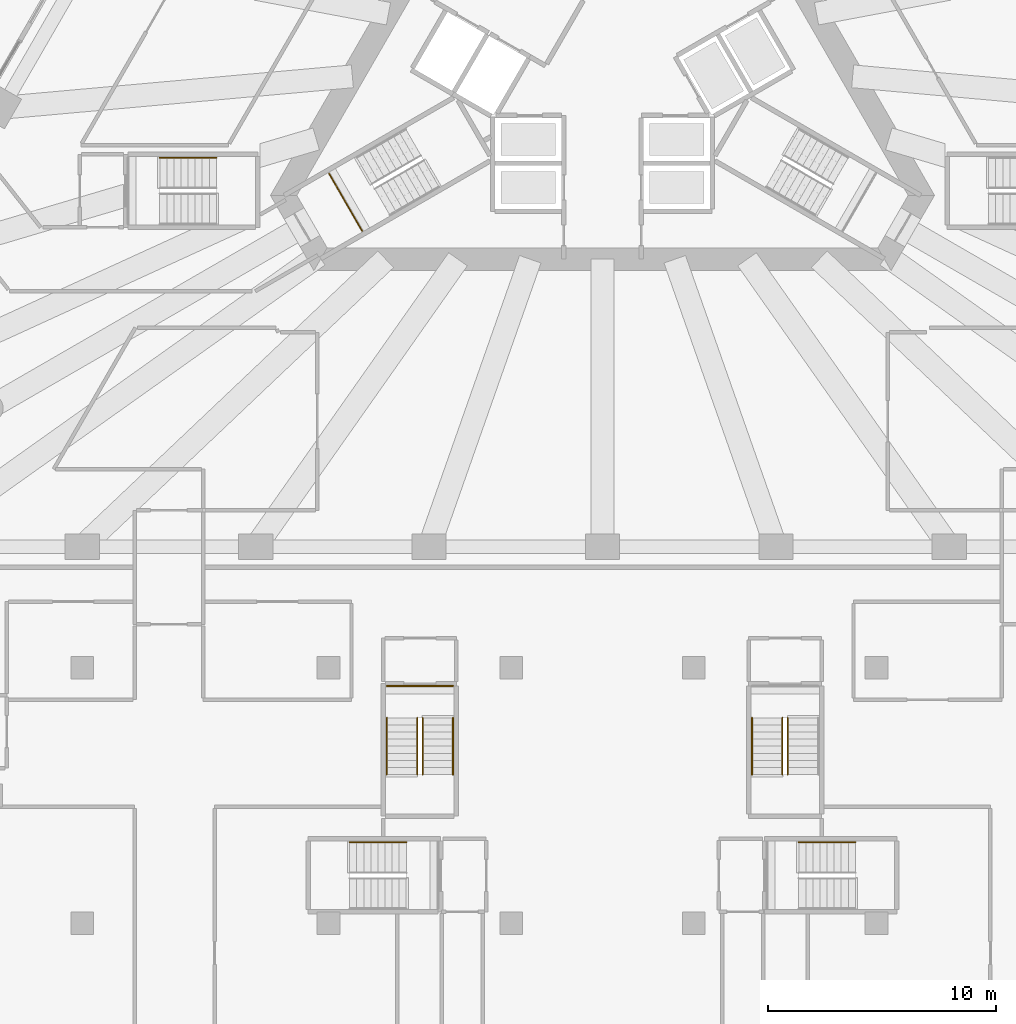
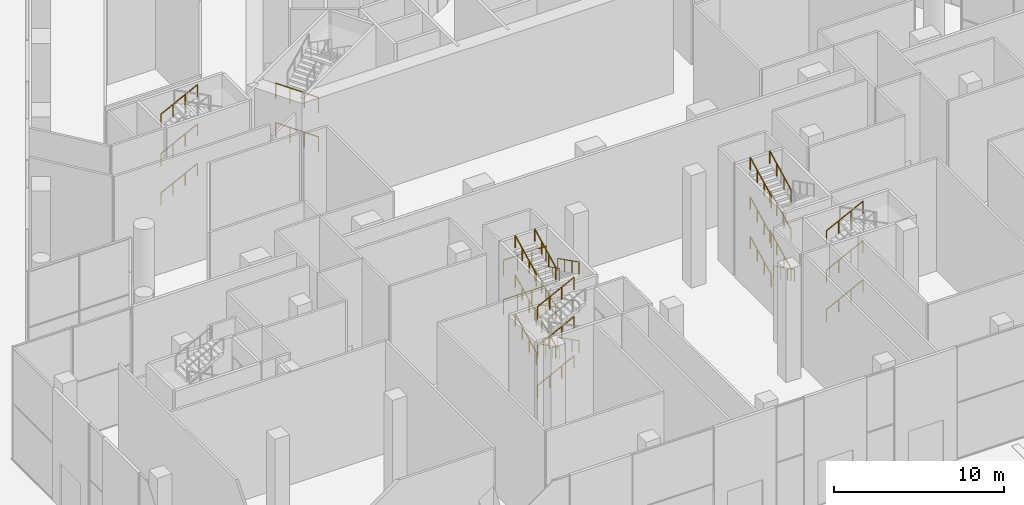
# One storey, part 37 of 41: 32 railings, 6 elements without a shape of their own.
"""IFC4 building model written with IfcOpenShell, lengths in metres."""

from ifc_helpers import new_model, si_unit, direction, frame, origin, origin_2d, place, context, subcontext, project, spatial, circle, extrude, material, type_object, element, aggregate, save


model = new_model("IFC4")

# Units and contexts
model_context = context("Model", 3, precision=1e-05, world=origin(), true_north=direction((0.0, 1.0)))
body_context = subcontext(model_context, "Body", "Model", "MODEL_VIEW")
ifc_project = project(units=[si_unit("LENGTHUNIT", "METRE"), si_unit("AREAUNIT", "SQUARE_METRE"), si_unit("VOLUMEUNIT", "CUBIC_METRE"), si_unit("PLANEANGLEUNIT", "RADIAN"), si_unit("MASSUNIT", "GRAM", prefix="KILO")], contexts=[model_context])

# Site, building, storey
site_placement = place(None, origin())
site = spatial("IfcSite", under=ifc_project, at=site_placement, CompositionType="ELEMENT")
building_placement = place(site_placement, origin())
building = spatial("IfcBuilding", under=site, at=building_placement, Name="Triada Interchange Tower", CompositionType="ELEMENT")
storey_placement = place(building_placement, origin())
storey = spatial("IfcBuildingStorey", under=building, at=storey_placement, Name="L00", CompositionType="ELEMENT", Elevation=0.0)

# Stair, railings
ifc_material_1 = material(Name="Concrete C35/45", Category="concrete")
stair_type = type_object("IfcStairType", Name="HALF TURN STAIR 1400", PredefinedType="HALF_TURN_STAIR", material=ifc_material_1)
stair_1_placement = place(storey_placement, origin())
stair_1 = element("IfcStair", 1, at=stair_1_placement, inside=storey, type_object=stair_type, Name="Exit stair S00-2", PredefinedType="HALF_TURN_STAIR")
ifc_material_2 = material(Name="Stainless steel 1.4301", Category="steel")
railing_type_1 = type_object("IfcRailingType", Name="STAIR GUARD 1100", PredefinedType="GUARDRAIL", material=ifc_material_2)
railing_1_placement = place(storey_placement, frame((-11.98291015625, -5.243896484375, 2.83349609375)))
railing_1 = element("IfcRailing", 2, at=railing_1_placement, type_object=railing_type_1, Name="Guard S00-2 1", PredefinedType="GUARDRAIL", context=body_context, shape_type="SweptSolid", body=[
    extrude(circle(Radius=0.02392578125, at=origin_2d()), frame((0.0, 0.0, 1.076171875), z_axis=(0.499877891294, -0.866095891802, 0.0), x_axis=(0.866095891802, 0.499877891294, 0.0)), (0.0, 0.0, 1.0), 2.900634765625),
    extrude(circle(Radius=0.02099609375, at=origin_2d()), origin(), (0.0, 0.0, 1.0), 1.052001953125),
    extrude(circle(Radius=0.02099609375, at=origin_2d()), frame((0.4833984375, -0.83740234375, 0.0)), (0.0, 0.0, 1.0), 1.052001953125),
    extrude(circle(Radius=0.02099609375, at=origin_2d()), frame((0.966552734375, -1.6748046875, 0.0)), (0.0, 0.0, 1.0), 1.052001953125),
    extrude(circle(Radius=0.02099609375, at=origin_2d()), frame((1.449951171875, -2.51220703125, 0.0)), (0.0, 0.0, 1.0), 1.052001953125),
])
railing_2_placement = place(storey_placement, frame((-11.98291015625, -5.243896484375, 5.666748046875)))
railing_2 = element("IfcRailing", 3, at=railing_2_placement, type_object=railing_type_1, Name="Guard S00-2 2", PredefinedType="GUARDRAIL", context=body_context, shape_type="SweptSolid", body=[
    extrude(circle(Radius=0.02392578125, at=origin_2d()), frame((0.0, 0.0, 1.076171875), z_axis=(0.499877891294, -0.866095891802, 0.0), x_axis=(0.866095891802, 0.499877891294, 0.0)), (0.0, 0.0, 1.0), 2.900634765625),
    extrude(circle(Radius=0.02099609375, at=origin_2d()), origin(), (0.0, 0.0, 1.0), 1.052001953125),
    extrude(circle(Radius=0.02099609375, at=origin_2d()), frame((0.4833984375, -0.83740234375, 0.0)), (0.0, 0.0, 1.0), 1.052001953125),
    extrude(circle(Radius=0.02099609375, at=origin_2d()), frame((0.966552734375, -1.6748046875, 0.0)), (0.0, 0.0, 1.0), 1.052001953125),
    extrude(circle(Radius=0.02099609375, at=origin_2d()), frame((1.449951171875, -2.51220703125, 0.0)), (0.0, 0.0, 1.0), 1.052001953125),
])
aggregate(stair_1, [railing_1, railing_2])

stair_2_placement = place(storey_placement, origin())
stair_2 = element("IfcStair", 4, at=stair_2_placement, inside=storey, type_object=stair_type, Name="Exit stair S00-11", PredefinedType="HALF_TURN_STAIR")
railing_3_placement = place(storey_placement, frame((-6.550048828125, -27.699951171875, 2.83349609375)))
railing_3 = element("IfcRailing", 5, at=railing_3_placement, type_object=railing_type_1, Name="Guard S00-11 1", PredefinedType="GUARDRAIL", context=body_context, shape_type="SweptSolid", body=[
    extrude(circle(Radius=0.02392578125, at=origin_2d()), frame((0.0, 0.0, 1.076171875), z_axis=(-1.0, 0.0, 0.0), x_axis=(0.0, -1.0, 0.0)), (0.0, 0.0, 1.0), 2.89990234375),
    extrude(circle(Radius=0.02099609375, at=origin_2d()), origin(), (0.0, 0.0, 1.0), 1.052001953125),
    extrude(circle(Radius=0.02099609375, at=origin_2d()), frame((-0.966552734375, 0.0, 0.0)), (0.0, 0.0, 1.0), 1.052001953125),
    extrude(circle(Radius=0.02099609375, at=origin_2d()), frame((-1.933349609375, 0.0, 0.0)), (0.0, 0.0, 1.0), 1.052001953125),
    extrude(circle(Radius=0.02099609375, at=origin_2d()), frame((-2.89990234375, 0.0, 0.0)), (0.0, 0.0, 1.0), 1.052001953125),
])
railing_4_placement = place(storey_placement, frame((-6.550048828125, -27.699951171875, 5.666748046875)))
railing_4 = element("IfcRailing", 6, at=railing_4_placement, type_object=railing_type_1, Name="Guard S00-11 2", PredefinedType="GUARDRAIL", context=body_context, shape_type="SweptSolid", body=[
    extrude(circle(Radius=0.02392578125, at=origin_2d()), frame((0.0, 0.0, 1.076171875), z_axis=(-1.0, 0.0, 0.0), x_axis=(0.0, -1.0, 0.0)), (0.0, 0.0, 1.0), 2.89990234375),
    extrude(circle(Radius=0.02099609375, at=origin_2d()), origin(), (0.0, 0.0, 1.0), 1.052001953125),
    extrude(circle(Radius=0.02099609375, at=origin_2d()), frame((-0.966552734375, 0.0, 0.0)), (0.0, 0.0, 1.0), 1.052001953125),
    extrude(circle(Radius=0.02099609375, at=origin_2d()), frame((-1.933349609375, 0.0, 0.0)), (0.0, 0.0, 1.0), 1.052001953125),
    extrude(circle(Radius=0.02099609375, at=origin_2d()), frame((-2.89990234375, 0.0, 0.0)), (0.0, 0.0, 1.0), 1.052001953125),
])

stair_3_placement = place(storey_placement, origin())
stair_3 = element("IfcStair", 7, at=stair_3_placement, inside=storey, type_object=stair_type, Name="Exit stair S00-4", PredefinedType="HALF_TURN_STAIR")
railing_type_2 = type_object("IfcRailingType", Name="STAIR HANDRAIL 900", PredefinedType="HANDRAIL", material=ifc_material_2)
railing_5_placement = place(storey_placement, frame((-11.080078125, -34.550048828125, 1.57421875)))
railing_5 = element("IfcRailing", 8, at=railing_5_placement, type_object=railing_type_2, Name="Handrail S00-4 2W", PredefinedType="HANDRAIL", context=body_context, shape_type="SweptSolid", body=[
    extrude(circle(Radius=0.02392578125, at=origin_2d()), frame((0.0, 0.0, 0.8759765625), z_axis=(0.891636241932, 0.0, 0.452752484336), x_axis=(0.0, 1.0, 0.0)), (0.0, 0.0, 1.0), 2.781494140625),
    extrude(circle(Radius=0.02099609375, at=origin_2d()), origin(), (0.0, 0.0, 1.0), 0.851806640625),
    extrude(circle(Radius=0.02099609375, at=origin_2d()), frame((0.82666015625, 0.0, 0.419677734375)), (0.0, 0.0, 1.0), 0.851806640625),
    extrude(circle(Radius=0.02099609375, at=origin_2d()), frame((1.6533203125, 0.0, 0.839599609375)), (0.0, 0.0, 1.0), 0.851806640625),
    extrude(circle(Radius=0.02099609375, at=origin_2d()), frame((2.47998046875, 0.0, 1.25927734375)), (0.0, 0.0, 1.0), 0.851806640625),
])
railing_6_placement = place(storey_placement, frame((-11.080078125, -34.550048828125, 4.407470703125)))
railing_6 = element("IfcRailing", 9, at=railing_6_placement, type_object=railing_type_2, Name="Handrail S00-4 4W", PredefinedType="HANDRAIL", context=body_context, shape_type="SweptSolid", body=[
    extrude(circle(Radius=0.02392578125, at=origin_2d()), frame((0.0, 0.0, 0.8759765625), z_axis=(0.891636241932, 0.0, 0.452752484336), x_axis=(0.0, 1.0, 0.0)), (0.0, 0.0, 1.0), 2.781494140625),
    extrude(circle(Radius=0.02099609375, at=origin_2d()), origin(), (0.0, 0.0, 1.0), 0.851806640625),
    extrude(circle(Radius=0.02099609375, at=origin_2d()), frame((0.82666015625, 0.0, 0.419677734375)), (0.0, 0.0, 1.0), 0.851806640625),
    extrude(circle(Radius=0.02099609375, at=origin_2d()), frame((1.6533203125, 0.0, 0.839599609375)), (0.0, 0.0, 1.0), 0.851806640625),
    extrude(circle(Radius=0.02099609375, at=origin_2d()), frame((2.47998046875, 0.0, 1.25927734375)), (0.0, 0.0, 1.0), 0.851806640625),
])
railing_7_placement = place(storey_placement, frame((-11.080078125, -34.550048828125, 7.240966796875)))
railing_7 = element("IfcRailing", 10, at=railing_7_placement, type_object=railing_type_2, Name="Handrail S00-4 6W", PredefinedType="HANDRAIL", context=body_context, shape_type="SweptSolid", body=[
    extrude(circle(Radius=0.02392578125, at=origin_2d()), frame((0.0, 0.0, 0.8759765625), z_axis=(0.891636241932, 0.0, 0.452752484336), x_axis=(0.0, 1.0, 0.0)), (0.0, 0.0, 1.0), 2.781494140625),
    extrude(circle(Radius=0.02099609375, at=origin_2d()), origin(), (0.0, 0.0, 1.0), 0.851806640625),
    extrude(circle(Radius=0.02099609375, at=origin_2d()), frame((0.82666015625, 0.0, 0.419677734375)), (0.0, 0.0, 1.0), 0.851806640625),
    extrude(circle(Radius=0.02099609375, at=origin_2d()), frame((1.6533203125, 0.0, 0.839599609375)), (0.0, 0.0, 1.0), 0.851806640625),
    extrude(circle(Radius=0.02099609375, at=origin_2d()), frame((2.47998046875, 0.0, 1.25927734375)), (0.0, 0.0, 1.0), 0.851806640625),
])
aggregate(stair_3, [railing_5, railing_6, railing_7])

stair_4_placement = place(storey_placement, origin())
stair_4 = element("IfcStair", 11, at=stair_4_placement, inside=storey, type_object=stair_type, Name="Exit stair S00-5", PredefinedType="HALF_TURN_STAIR")
railing_8_placement = place(storey_placement, frame((8.60009765625, -34.550048828125, 0.157470703125)))
railing_8 = element("IfcRailing", 12, at=railing_8_placement, type_object=railing_type_2, Name="Handrail S00-5 1W", PredefinedType="HANDRAIL", context=body_context, shape_type="SweptSolid", body=[
    extrude(circle(Radius=0.02392578125, at=origin_2d()), frame((0.0, 0.0, 0.8759765625), z_axis=(0.891636241932, 0.0, 0.452752484336), x_axis=(0.0, 1.0, 0.0)), (0.0, 0.0, 1.0), 2.781494140625),
    extrude(circle(Radius=0.02099609375, at=origin_2d()), origin(), (0.0, 0.0, 1.0), 0.851806640625),
    extrude(circle(Radius=0.02099609375, at=origin_2d()), frame((0.82666015625, 0.0, 0.419677734375)), (0.0, 0.0, 1.0), 0.851806640625),
    extrude(circle(Radius=0.02099609375, at=origin_2d()), frame((1.6533203125, 0.0, 0.839599609375)), (0.0, 0.0, 1.0), 0.851806640625),
    extrude(circle(Radius=0.02099609375, at=origin_2d()), frame((2.47998046875, 0.0, 1.25927734375)), (0.0, 0.0, 1.0), 0.851806640625),
])
railing_9_placement = place(storey_placement, frame((8.60009765625, -34.550048828125, 2.99072265625)))
railing_9 = element("IfcRailing", 13, at=railing_9_placement, type_object=railing_type_2, Name="Handrail S00-5 3W", PredefinedType="HANDRAIL", context=body_context, shape_type="SweptSolid", body=[
    extrude(circle(Radius=0.02392578125, at=origin_2d()), frame((0.0, 0.0, 0.8759765625), z_axis=(0.891636241932, 0.0, 0.452752484336), x_axis=(0.0, 1.0, 0.0)), (0.0, 0.0, 1.0), 2.781494140625),
    extrude(circle(Radius=0.02099609375, at=origin_2d()), origin(), (0.0, 0.0, 1.0), 0.851806640625),
    extrude(circle(Radius=0.02099609375, at=origin_2d()), frame((0.82666015625, 0.0, 0.419677734375)), (0.0, 0.0, 1.0), 0.851806640625),
    extrude(circle(Radius=0.02099609375, at=origin_2d()), frame((1.6533203125, 0.0, 0.839599609375)), (0.0, 0.0, 1.0), 0.851806640625),
    extrude(circle(Radius=0.02099609375, at=origin_2d()), frame((2.47998046875, 0.0, 1.25927734375)), (0.0, 0.0, 1.0), 0.851806640625),
])
railing_10_placement = place(storey_placement, frame((8.60009765625, -34.550048828125, 5.82421875)))
railing_10 = element("IfcRailing", 14, at=railing_10_placement, type_object=railing_type_2, Name="Handrail S00-5 5W", PredefinedType="HANDRAIL", context=body_context, shape_type="SweptSolid", body=[
    extrude(circle(Radius=0.02392578125, at=origin_2d()), frame((0.0, 0.0, 0.8759765625), z_axis=(0.891636241932, 0.0, 0.452752484336), x_axis=(0.0, 1.0, 0.0)), (0.0, 0.0, 1.0), 2.781494140625),
    extrude(circle(Radius=0.02099609375, at=origin_2d()), origin(), (0.0, 0.0, 1.0), 0.851806640625),
    extrude(circle(Radius=0.02099609375, at=origin_2d()), frame((0.82666015625, 0.0, 0.419677734375)), (0.0, 0.0, 1.0), 0.851806640625),
    extrude(circle(Radius=0.02099609375, at=origin_2d()), frame((1.6533203125, 0.0, 0.839599609375)), (0.0, 0.0, 1.0), 0.851806640625),
    extrude(circle(Radius=0.02099609375, at=origin_2d()), frame((2.47998046875, 0.0, 1.25927734375)), (0.0, 0.0, 1.0), 0.851806640625),
])
aggregate(stair_4, [railing_8, railing_9, railing_10])

stair_5_placement = place(storey_placement, origin())
stair_5 = element("IfcStair", 15, at=stair_5_placement, inside=storey, type_object=stair_type, Name="Exit stair S00-6", PredefinedType="HALF_TURN_STAIR")
railing_11_placement = place(storey_placement, frame((-19.39990234375, -4.550048828125, 0.157470703125)))
railing_11 = element("IfcRailing", 16, at=railing_11_placement, type_object=railing_type_2, Name="Handrail S00-6 1W", PredefinedType="HANDRAIL", context=body_context, shape_type="SweptSolid", body=[
    extrude(circle(Radius=0.02392578125, at=origin_2d()), frame((0.0, 0.0, 0.8759765625), z_axis=(0.891636241932, 0.0, 0.452752484336), x_axis=(0.0, 1.0, 0.0)), (0.0, 0.0, 1.0), 2.781494140625),
    extrude(circle(Radius=0.02099609375, at=origin_2d()), origin(), (0.0, 0.0, 1.0), 0.851806640625),
    extrude(circle(Radius=0.02099609375, at=origin_2d()), frame((0.82666015625, 0.0, 0.419677734375)), (0.0, 0.0, 1.0), 0.851806640625),
    extrude(circle(Radius=0.02099609375, at=origin_2d()), frame((1.6533203125, 0.0, 0.839599609375)), (0.0, 0.0, 1.0), 0.851806640625),
    extrude(circle(Radius=0.02099609375, at=origin_2d()), frame((2.47998046875, 0.0, 1.25927734375)), (0.0, 0.0, 1.0), 0.851806640625),
])
railing_12_placement = place(storey_placement, frame((-19.39990234375, -4.550048828125, 2.99072265625)))
railing_12 = element("IfcRailing", 17, at=railing_12_placement, type_object=railing_type_2, Name="Handrail S00-6 3W", PredefinedType="HANDRAIL", context=body_context, shape_type="SweptSolid", body=[
    extrude(circle(Radius=0.02392578125, at=origin_2d()), frame((0.0, 0.0, 0.8759765625), z_axis=(0.891636241932, 0.0, 0.452752484336), x_axis=(0.0, 1.0, 0.0)), (0.0, 0.0, 1.0), 2.781494140625),
    extrude(circle(Radius=0.02099609375, at=origin_2d()), origin(), (0.0, 0.0, 1.0), 0.851806640625),
    extrude(circle(Radius=0.02099609375, at=origin_2d()), frame((0.82666015625, 0.0, 0.419677734375)), (0.0, 0.0, 1.0), 0.851806640625),
    extrude(circle(Radius=0.02099609375, at=origin_2d()), frame((1.6533203125, 0.0, 0.839599609375)), (0.0, 0.0, 1.0), 0.851806640625),
    extrude(circle(Radius=0.02099609375, at=origin_2d()), frame((2.47998046875, 0.0, 1.25927734375)), (0.0, 0.0, 1.0), 0.851806640625),
])
railing_13_placement = place(storey_placement, frame((-19.39990234375, -4.550048828125, 5.82421875)))
railing_13 = element("IfcRailing", 18, at=railing_13_placement, type_object=railing_type_2, Name="Handrail S00-6 5W", PredefinedType="HANDRAIL", context=body_context, shape_type="SweptSolid", body=[
    extrude(circle(Radius=0.02392578125, at=origin_2d()), frame((0.0, 0.0, 0.8759765625), z_axis=(0.891636241932, 0.0, 0.452752484336), x_axis=(0.0, 1.0, 0.0)), (0.0, 0.0, 1.0), 2.781494140625),
    extrude(circle(Radius=0.02099609375, at=origin_2d()), origin(), (0.0, 0.0, 1.0), 0.851806640625),
    extrude(circle(Radius=0.02099609375, at=origin_2d()), frame((0.82666015625, 0.0, 0.419677734375)), (0.0, 0.0, 1.0), 0.851806640625),
    extrude(circle(Radius=0.02099609375, at=origin_2d()), frame((1.6533203125, 0.0, 0.839599609375)), (0.0, 0.0, 1.0), 0.851806640625),
    extrude(circle(Radius=0.02099609375, at=origin_2d()), frame((2.47998046875, 0.0, 1.25927734375)), (0.0, 0.0, 1.0), 0.851806640625),
])
aggregate(stair_5, [railing_11, railing_12, railing_13])

stair_6_placement = place(storey_placement, origin())
stair_6 = element("IfcStair", 19, at=stair_6_placement, inside=storey, type_object=stair_type, Name="Exit stair S00-10", PredefinedType="HALF_TURN_STAIR")
railing_14_placement = place(storey_placement, frame((8.1201171875, -29.10009765625, 0.157470703125)))
railing_14 = element("IfcRailing", 20, at=railing_14_placement, type_object=railing_type_2, Name="Handrail S00-10 1C", PredefinedType="HANDRAIL", context=body_context, shape_type="SweptSolid", body=[
    extrude(circle(Radius=0.02392578125, at=origin_2d()), frame((0.0, 0.0, 0.8759765625), z_axis=(0.0, -0.891636241932, 0.452752484336), x_axis=(1.0, 0.0, 0.0)), (0.0, 0.0, 1.0), 2.781494140625),
    extrude(circle(Radius=0.02099609375, at=origin_2d()), origin(), (0.0, 0.0, 1.0), 0.851806640625),
    extrude(circle(Radius=0.02099609375, at=origin_2d()), frame((0.0, -0.82666015625, 0.419677734375)), (0.0, 0.0, 1.0), 0.851806640625),
    extrude(circle(Radius=0.02099609375, at=origin_2d()), frame((0.0, -1.6533203125, 0.839599609375)), (0.0, 0.0, 1.0), 0.851806640625),
    extrude(circle(Radius=0.02099609375, at=origin_2d()), frame((0.0, -2.47998046875, 1.25927734375)), (0.0, 0.0, 1.0), 0.851806640625),
])
railing_15_placement = place(storey_placement, frame((6.550048828125, -31.580078125, 1.57421875)))
railing_15 = element("IfcRailing", 21, at=railing_15_placement, type_object=railing_type_2, Name="Handrail S00-10 2W", PredefinedType="HANDRAIL", context=body_context, shape_type="SweptSolid", body=[
    extrude(circle(Radius=0.02392578125, at=origin_2d()), frame((0.0, 0.0, 0.8759765625), z_axis=(0.0, 0.891636241932, 0.452752484336), x_axis=(-1.0, 0.0, 0.0)), (0.0, 0.0, 1.0), 2.781494140625),
    extrude(circle(Radius=0.02099609375, at=origin_2d()), origin(), (0.0, 0.0, 1.0), 0.851806640625),
    extrude(circle(Radius=0.02099609375, at=origin_2d()), frame((0.0, 0.82666015625, 0.419677734375)), (0.0, 0.0, 1.0), 0.851806640625),
    extrude(circle(Radius=0.02099609375, at=origin_2d()), frame((0.0, 1.6533203125, 0.839599609375)), (0.0, 0.0, 1.0), 0.851806640625),
    extrude(circle(Radius=0.02099609375, at=origin_2d()), frame((0.0, 2.47998046875, 1.25927734375)), (0.0, 0.0, 1.0), 0.851806640625),
])
railing_16_placement = place(storey_placement, frame((7.8798828125, -31.580078125, 1.57421875)))
railing_16 = element("IfcRailing", 22, at=railing_16_placement, type_object=railing_type_2, Name="Handrail S00-10 2C", PredefinedType="HANDRAIL", context=body_context, shape_type="SweptSolid", body=[
    extrude(circle(Radius=0.02392578125, at=origin_2d()), frame((0.0, 0.0, 0.8759765625), z_axis=(0.0, 0.891636241932, 0.452752484336), x_axis=(-1.0, 0.0, 0.0)), (0.0, 0.0, 1.0), 2.781494140625),
    extrude(circle(Radius=0.02099609375, at=origin_2d()), origin(), (0.0, 0.0, 1.0), 0.851806640625),
    extrude(circle(Radius=0.02099609375, at=origin_2d()), frame((0.0, 0.82666015625, 0.419677734375)), (0.0, 0.0, 1.0), 0.851806640625),
    extrude(circle(Radius=0.02099609375, at=origin_2d()), frame((0.0, 1.6533203125, 0.839599609375)), (0.0, 0.0, 1.0), 0.851806640625),
    extrude(circle(Radius=0.02099609375, at=origin_2d()), frame((0.0, 2.47998046875, 1.25927734375)), (0.0, 0.0, 1.0), 0.851806640625),
])
railing_17_placement = place(storey_placement, frame((6.550048828125, -31.580078125, 4.407470703125)))
railing_17 = element("IfcRailing", 23, at=railing_17_placement, type_object=railing_type_2, Name="Handrail S00-10 4W", PredefinedType="HANDRAIL", context=body_context, shape_type="SweptSolid", body=[
    extrude(circle(Radius=0.02392578125, at=origin_2d()), frame((0.0, 0.0, 0.8759765625), z_axis=(0.0, 0.891636241932, 0.452752484336), x_axis=(-1.0, 0.0, 0.0)), (0.0, 0.0, 1.0), 2.781494140625),
    extrude(circle(Radius=0.02099609375, at=origin_2d()), origin(), (0.0, 0.0, 1.0), 0.851806640625),
    extrude(circle(Radius=0.02099609375, at=origin_2d()), frame((0.0, 0.82666015625, 0.419677734375)), (0.0, 0.0, 1.0), 0.851806640625),
    extrude(circle(Radius=0.02099609375, at=origin_2d()), frame((0.0, 1.6533203125, 0.839599609375)), (0.0, 0.0, 1.0), 0.851806640625),
    extrude(circle(Radius=0.02099609375, at=origin_2d()), frame((0.0, 2.47998046875, 1.25927734375)), (0.0, 0.0, 1.0), 0.851806640625),
])
railing_18_placement = place(storey_placement, frame((7.8798828125, -31.580078125, 4.407470703125)))
railing_18 = element("IfcRailing", 24, at=railing_18_placement, type_object=railing_type_2, Name="Handrail S00-10 4C", PredefinedType="HANDRAIL", context=body_context, shape_type="SweptSolid", body=[
    extrude(circle(Radius=0.02392578125, at=origin_2d()), frame((0.0, 0.0, 0.8759765625), z_axis=(0.0, 0.891636241932, 0.452752484336), x_axis=(-1.0, 0.0, 0.0)), (0.0, 0.0, 1.0), 2.781494140625),
    extrude(circle(Radius=0.02099609375, at=origin_2d()), origin(), (0.0, 0.0, 1.0), 0.851806640625),
    extrude(circle(Radius=0.02099609375, at=origin_2d()), frame((0.0, 0.82666015625, 0.419677734375)), (0.0, 0.0, 1.0), 0.851806640625),
    extrude(circle(Radius=0.02099609375, at=origin_2d()), frame((0.0, 1.6533203125, 0.839599609375)), (0.0, 0.0, 1.0), 0.851806640625),
    extrude(circle(Radius=0.02099609375, at=origin_2d()), frame((0.0, 2.47998046875, 1.25927734375)), (0.0, 0.0, 1.0), 0.851806640625),
])
railing_19_placement = place(storey_placement, frame((6.550048828125, -31.580078125, 7.240966796875)))
railing_19 = element("IfcRailing", 25, at=railing_19_placement, type_object=railing_type_2, Name="Handrail S00-10 6W", PredefinedType="HANDRAIL", context=body_context, shape_type="SweptSolid", body=[
    extrude(circle(Radius=0.02392578125, at=origin_2d()), frame((0.0, 0.0, 0.8759765625), z_axis=(0.0, 0.891636241932, 0.452752484336), x_axis=(-1.0, 0.0, 0.0)), (0.0, 0.0, 1.0), 2.781494140625),
    extrude(circle(Radius=0.02099609375, at=origin_2d()), origin(), (0.0, 0.0, 1.0), 0.851806640625),
    extrude(circle(Radius=0.02099609375, at=origin_2d()), frame((0.0, 0.82666015625, 0.419677734375)), (0.0, 0.0, 1.0), 0.851806640625),
    extrude(circle(Radius=0.02099609375, at=origin_2d()), frame((0.0, 1.6533203125, 0.839599609375)), (0.0, 0.0, 1.0), 0.851806640625),
    extrude(circle(Radius=0.02099609375, at=origin_2d()), frame((0.0, 2.47998046875, 1.25927734375)), (0.0, 0.0, 1.0), 0.851806640625),
])
railing_20_placement = place(storey_placement, frame((7.8798828125, -31.580078125, 7.240966796875)))
railing_20 = element("IfcRailing", 26, at=railing_20_placement, type_object=railing_type_2, Name="Handrail S00-10 6C", PredefinedType="HANDRAIL", context=body_context, shape_type="SweptSolid", body=[
    extrude(circle(Radius=0.02392578125, at=origin_2d()), frame((0.0, 0.0, 0.8759765625), z_axis=(0.0, 0.891636241932, 0.452752484336), x_axis=(-1.0, 0.0, 0.0)), (0.0, 0.0, 1.0), 2.781494140625),
    extrude(circle(Radius=0.02099609375, at=origin_2d()), origin(), (0.0, 0.0, 1.0), 0.851806640625),
    extrude(circle(Radius=0.02099609375, at=origin_2d()), frame((0.0, 0.82666015625, 0.419677734375)), (0.0, 0.0, 1.0), 0.851806640625),
    extrude(circle(Radius=0.02099609375, at=origin_2d()), frame((0.0, 1.6533203125, 0.839599609375)), (0.0, 0.0, 1.0), 0.851806640625),
    extrude(circle(Radius=0.02099609375, at=origin_2d()), frame((0.0, 2.47998046875, 1.25927734375)), (0.0, 0.0, 1.0), 0.851806640625),
])
aggregate(stair_6, [railing_14, railing_15, railing_16, railing_17, railing_18, railing_19, railing_20])

# Railing
railing_21_placement = place(storey_placement, frame((-6.550048828125, -29.10009765625, 0.157470703125)))
railing_21 = element("IfcRailing", 27, at=railing_21_placement, type_object=railing_type_2, Name="Handrail S00-11 1W", PredefinedType="HANDRAIL", context=body_context, shape_type="SweptSolid", body=[
    extrude(circle(Radius=0.02392578125, at=origin_2d()), frame((0.0, 0.0, 0.8759765625), z_axis=(0.0, -0.891636241932, 0.452752484336), x_axis=(1.0, 0.0, 0.0)), (0.0, 0.0, 1.0), 2.781494140625),
    extrude(circle(Radius=0.02099609375, at=origin_2d()), origin(), (0.0, 0.0, 1.0), 0.851806640625),
    extrude(circle(Radius=0.02099609375, at=origin_2d()), frame((0.0, -0.82666015625, 0.419677734375)), (0.0, 0.0, 1.0), 0.851806640625),
    extrude(circle(Radius=0.02099609375, at=origin_2d()), frame((0.0, -1.6533203125, 0.839599609375)), (0.0, 0.0, 1.0), 0.851806640625),
    extrude(circle(Radius=0.02099609375, at=origin_2d()), frame((0.0, -2.47998046875, 1.25927734375)), (0.0, 0.0, 1.0), 0.851806640625),
])

railing_22_placement = place(storey_placement, frame((-7.8798828125, -29.10009765625, 0.157470703125)))
railing_22 = element("IfcRailing", 28, at=railing_22_placement, type_object=railing_type_2, Name="Handrail S00-11 1C", PredefinedType="HANDRAIL", context=body_context, shape_type="SweptSolid", body=[
    extrude(circle(Radius=0.02392578125, at=origin_2d()), frame((0.0, 0.0, 0.8759765625), z_axis=(0.0, -0.891636241932, 0.452752484336), x_axis=(1.0, 0.0, 0.0)), (0.0, 0.0, 1.0), 2.781494140625),
    extrude(circle(Radius=0.02099609375, at=origin_2d()), origin(), (0.0, 0.0, 1.0), 0.851806640625),
    extrude(circle(Radius=0.02099609375, at=origin_2d()), frame((0.0, -0.82666015625, 0.419677734375)), (0.0, 0.0, 1.0), 0.851806640625),
    extrude(circle(Radius=0.02099609375, at=origin_2d()), frame((0.0, -1.6533203125, 0.839599609375)), (0.0, 0.0, 1.0), 0.851806640625),
    extrude(circle(Radius=0.02099609375, at=origin_2d()), frame((0.0, -2.47998046875, 1.25927734375)), (0.0, 0.0, 1.0), 0.851806640625),
])

railing_23_placement = place(storey_placement, frame((-9.449951171875, -31.580078125, 1.57421875)))
railing_23 = element("IfcRailing", 29, at=railing_23_placement, type_object=railing_type_2, Name="Handrail S00-11 2W", PredefinedType="HANDRAIL", context=body_context, shape_type="SweptSolid", body=[
    extrude(circle(Radius=0.02392578125, at=origin_2d()), frame((0.0, 0.0, 0.8759765625), z_axis=(0.0, 0.891636241932, 0.452752484336), x_axis=(-1.0, 0.0, 0.0)), (0.0, 0.0, 1.0), 2.781494140625),
    extrude(circle(Radius=0.02099609375, at=origin_2d()), origin(), (0.0, 0.0, 1.0), 0.851806640625),
    extrude(circle(Radius=0.02099609375, at=origin_2d()), frame((0.0, 0.82666015625, 0.419677734375)), (0.0, 0.0, 1.0), 0.851806640625),
    extrude(circle(Radius=0.02099609375, at=origin_2d()), frame((0.0, 1.6533203125, 0.839599609375)), (0.0, 0.0, 1.0), 0.851806640625),
    extrude(circle(Radius=0.02099609375, at=origin_2d()), frame((0.0, 2.47998046875, 1.25927734375)), (0.0, 0.0, 1.0), 0.851806640625),
])

railing_24_placement = place(storey_placement, frame((-8.1201171875, -31.580078125, 1.57421875)))
railing_24 = element("IfcRailing", 30, at=railing_24_placement, type_object=railing_type_2, Name="Handrail S00-11 2C", PredefinedType="HANDRAIL", context=body_context, shape_type="SweptSolid", body=[
    extrude(circle(Radius=0.02392578125, at=origin_2d()), frame((0.0, 0.0, 0.8759765625), z_axis=(0.0, 0.891636241932, 0.452752484336), x_axis=(-1.0, 0.0, 0.0)), (0.0, 0.0, 1.0), 2.781494140625),
    extrude(circle(Radius=0.02099609375, at=origin_2d()), origin(), (0.0, 0.0, 1.0), 0.851806640625),
    extrude(circle(Radius=0.02099609375, at=origin_2d()), frame((0.0, 0.82666015625, 0.419677734375)), (0.0, 0.0, 1.0), 0.851806640625),
    extrude(circle(Radius=0.02099609375, at=origin_2d()), frame((0.0, 1.6533203125, 0.839599609375)), (0.0, 0.0, 1.0), 0.851806640625),
    extrude(circle(Radius=0.02099609375, at=origin_2d()), frame((0.0, 2.47998046875, 1.25927734375)), (0.0, 0.0, 1.0), 0.851806640625),
])

railing_25_placement = place(storey_placement, frame((-6.550048828125, -29.10009765625, 2.99072265625)))
railing_25 = element("IfcRailing", 31, at=railing_25_placement, type_object=railing_type_2, Name="Handrail S00-11 3W", PredefinedType="HANDRAIL", context=body_context, shape_type="SweptSolid", body=[
    extrude(circle(Radius=0.02392578125, at=origin_2d()), frame((0.0, 0.0, 0.8759765625), z_axis=(0.0, -0.891636241932, 0.452752484336), x_axis=(1.0, 0.0, 0.0)), (0.0, 0.0, 1.0), 2.781494140625),
    extrude(circle(Radius=0.02099609375, at=origin_2d()), origin(), (0.0, 0.0, 1.0), 0.851806640625),
    extrude(circle(Radius=0.02099609375, at=origin_2d()), frame((0.0, -0.82666015625, 0.419677734375)), (0.0, 0.0, 1.0), 0.851806640625),
    extrude(circle(Radius=0.02099609375, at=origin_2d()), frame((0.0, -1.6533203125, 0.839599609375)), (0.0, 0.0, 1.0), 0.851806640625),
    extrude(circle(Radius=0.02099609375, at=origin_2d()), frame((0.0, -2.47998046875, 1.25927734375)), (0.0, 0.0, 1.0), 0.851806640625),
])

railing_26_placement = place(storey_placement, frame((-7.8798828125, -29.10009765625, 2.99072265625)))
railing_26 = element("IfcRailing", 32, at=railing_26_placement, type_object=railing_type_2, Name="Handrail S00-11 3C", PredefinedType="HANDRAIL", context=body_context, shape_type="SweptSolid", body=[
    extrude(circle(Radius=0.02392578125, at=origin_2d()), frame((0.0, 0.0, 0.8759765625), z_axis=(0.0, -0.891636241932, 0.452752484336), x_axis=(1.0, 0.0, 0.0)), (0.0, 0.0, 1.0), 2.781494140625),
    extrude(circle(Radius=0.02099609375, at=origin_2d()), origin(), (0.0, 0.0, 1.0), 0.851806640625),
    extrude(circle(Radius=0.02099609375, at=origin_2d()), frame((0.0, -0.82666015625, 0.419677734375)), (0.0, 0.0, 1.0), 0.851806640625),
    extrude(circle(Radius=0.02099609375, at=origin_2d()), frame((0.0, -1.6533203125, 0.839599609375)), (0.0, 0.0, 1.0), 0.851806640625),
    extrude(circle(Radius=0.02099609375, at=origin_2d()), frame((0.0, -2.47998046875, 1.25927734375)), (0.0, 0.0, 1.0), 0.851806640625),
])

railing_27_placement = place(storey_placement, frame((-9.449951171875, -31.580078125, 4.407470703125)))
railing_27 = element("IfcRailing", 33, at=railing_27_placement, type_object=railing_type_2, Name="Handrail S00-11 4W", PredefinedType="HANDRAIL", context=body_context, shape_type="SweptSolid", body=[
    extrude(circle(Radius=0.02392578125, at=origin_2d()), frame((0.0, 0.0, 0.8759765625), z_axis=(0.0, 0.891636241932, 0.452752484336), x_axis=(-1.0, 0.0, 0.0)), (0.0, 0.0, 1.0), 2.781494140625),
    extrude(circle(Radius=0.02099609375, at=origin_2d()), origin(), (0.0, 0.0, 1.0), 0.851806640625),
    extrude(circle(Radius=0.02099609375, at=origin_2d()), frame((0.0, 0.82666015625, 0.419677734375)), (0.0, 0.0, 1.0), 0.851806640625),
    extrude(circle(Radius=0.02099609375, at=origin_2d()), frame((0.0, 1.6533203125, 0.839599609375)), (0.0, 0.0, 1.0), 0.851806640625),
    extrude(circle(Radius=0.02099609375, at=origin_2d()), frame((0.0, 2.47998046875, 1.25927734375)), (0.0, 0.0, 1.0), 0.851806640625),
])

railing_28_placement = place(storey_placement, frame((-8.1201171875, -31.580078125, 4.407470703125)))
railing_28 = element("IfcRailing", 34, at=railing_28_placement, type_object=railing_type_2, Name="Handrail S00-11 4C", PredefinedType="HANDRAIL", context=body_context, shape_type="SweptSolid", body=[
    extrude(circle(Radius=0.02392578125, at=origin_2d()), frame((0.0, 0.0, 0.8759765625), z_axis=(0.0, 0.891636241932, 0.452752484336), x_axis=(-1.0, 0.0, 0.0)), (0.0, 0.0, 1.0), 2.781494140625),
    extrude(circle(Radius=0.02099609375, at=origin_2d()), origin(), (0.0, 0.0, 1.0), 0.851806640625),
    extrude(circle(Radius=0.02099609375, at=origin_2d()), frame((0.0, 0.82666015625, 0.419677734375)), (0.0, 0.0, 1.0), 0.851806640625),
    extrude(circle(Radius=0.02099609375, at=origin_2d()), frame((0.0, 1.6533203125, 0.839599609375)), (0.0, 0.0, 1.0), 0.851806640625),
    extrude(circle(Radius=0.02099609375, at=origin_2d()), frame((0.0, 2.47998046875, 1.25927734375)), (0.0, 0.0, 1.0), 0.851806640625),
])

railing_29_placement = place(storey_placement, frame((-6.550048828125, -29.10009765625, 5.82421875)))
railing_29 = element("IfcRailing", 35, at=railing_29_placement, type_object=railing_type_2, Name="Handrail S00-11 5W", PredefinedType="HANDRAIL", context=body_context, shape_type="SweptSolid", body=[
    extrude(circle(Radius=0.02392578125, at=origin_2d()), frame((0.0, 0.0, 0.8759765625), z_axis=(0.0, -0.891636241932, 0.452752484336), x_axis=(1.0, 0.0, 0.0)), (0.0, 0.0, 1.0), 2.781494140625),
    extrude(circle(Radius=0.02099609375, at=origin_2d()), origin(), (0.0, 0.0, 1.0), 0.851806640625),
    extrude(circle(Radius=0.02099609375, at=origin_2d()), frame((0.0, -0.82666015625, 0.419677734375)), (0.0, 0.0, 1.0), 0.851806640625),
    extrude(circle(Radius=0.02099609375, at=origin_2d()), frame((0.0, -1.6533203125, 0.839599609375)), (0.0, 0.0, 1.0), 0.851806640625),
    extrude(circle(Radius=0.02099609375, at=origin_2d()), frame((0.0, -2.47998046875, 1.25927734375)), (0.0, 0.0, 1.0), 0.851806640625),
])

railing_30_placement = place(storey_placement, frame((-7.8798828125, -29.10009765625, 5.82421875)))
railing_30 = element("IfcRailing", 36, at=railing_30_placement, type_object=railing_type_2, Name="Handrail S00-11 5C", PredefinedType="HANDRAIL", context=body_context, shape_type="SweptSolid", body=[
    extrude(circle(Radius=0.02392578125, at=origin_2d()), frame((0.0, 0.0, 0.8759765625), z_axis=(0.0, -0.891636241932, 0.452752484336), x_axis=(1.0, 0.0, 0.0)), (0.0, 0.0, 1.0), 2.781494140625),
    extrude(circle(Radius=0.02099609375, at=origin_2d()), origin(), (0.0, 0.0, 1.0), 0.851806640625),
    extrude(circle(Radius=0.02099609375, at=origin_2d()), frame((0.0, -0.82666015625, 0.419677734375)), (0.0, 0.0, 1.0), 0.851806640625),
    extrude(circle(Radius=0.02099609375, at=origin_2d()), frame((0.0, -1.6533203125, 0.839599609375)), (0.0, 0.0, 1.0), 0.851806640625),
    extrude(circle(Radius=0.02099609375, at=origin_2d()), frame((0.0, -2.47998046875, 1.25927734375)), (0.0, 0.0, 1.0), 0.851806640625),
])

railing_31_placement = place(storey_placement, frame((-9.449951171875, -31.580078125, 7.240966796875)))
railing_31 = element("IfcRailing", 37, at=railing_31_placement, type_object=railing_type_2, Name="Handrail S00-11 6W", PredefinedType="HANDRAIL", context=body_context, shape_type="SweptSolid", body=[
    extrude(circle(Radius=0.02392578125, at=origin_2d()), frame((0.0, 0.0, 0.8759765625), z_axis=(0.0, 0.891636241932, 0.452752484336), x_axis=(-1.0, 0.0, 0.0)), (0.0, 0.0, 1.0), 2.781494140625),
    extrude(circle(Radius=0.02099609375, at=origin_2d()), origin(), (0.0, 0.0, 1.0), 0.851806640625),
    extrude(circle(Radius=0.02099609375, at=origin_2d()), frame((0.0, 0.82666015625, 0.419677734375)), (0.0, 0.0, 1.0), 0.851806640625),
    extrude(circle(Radius=0.02099609375, at=origin_2d()), frame((0.0, 1.6533203125, 0.839599609375)), (0.0, 0.0, 1.0), 0.851806640625),
    extrude(circle(Radius=0.02099609375, at=origin_2d()), frame((0.0, 2.47998046875, 1.25927734375)), (0.0, 0.0, 1.0), 0.851806640625),
])

railing_32_placement = place(storey_placement, frame((-8.1201171875, -31.580078125, 7.240966796875)))
railing_32 = element("IfcRailing", 38, at=railing_32_placement, type_object=railing_type_2, Name="Handrail S00-11 6C", PredefinedType="HANDRAIL", context=body_context, shape_type="SweptSolid", body=[
    extrude(circle(Radius=0.02392578125, at=origin_2d()), frame((0.0, 0.0, 0.8759765625), z_axis=(0.0, 0.891636241932, 0.452752484336), x_axis=(-1.0, 0.0, 0.0)), (0.0, 0.0, 1.0), 2.781494140625),
    extrude(circle(Radius=0.02099609375, at=origin_2d()), origin(), (0.0, 0.0, 1.0), 0.851806640625),
    extrude(circle(Radius=0.02099609375, at=origin_2d()), frame((0.0, 0.82666015625, 0.419677734375)), (0.0, 0.0, 1.0), 0.851806640625),
    extrude(circle(Radius=0.02099609375, at=origin_2d()), frame((0.0, 1.6533203125, 0.839599609375)), (0.0, 0.0, 1.0), 0.851806640625),
    extrude(circle(Radius=0.02099609375, at=origin_2d()), frame((0.0, 2.47998046875, 1.25927734375)), (0.0, 0.0, 1.0), 0.851806640625),
])

aggregate(stair_2, [railing_21, railing_22, railing_23, railing_24, railing_25, railing_26, railing_27, railing_28, railing_29, railing_30, railing_31, railing_32, railing_3, railing_4])

save(model, "model.ifc")
